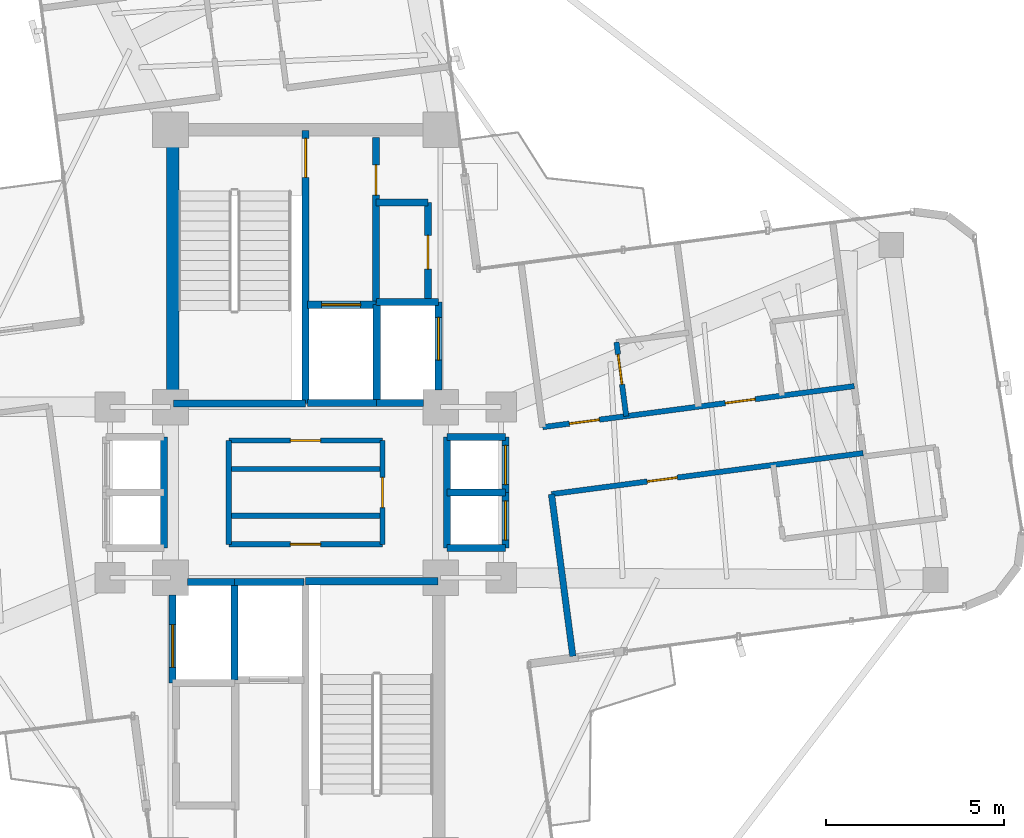
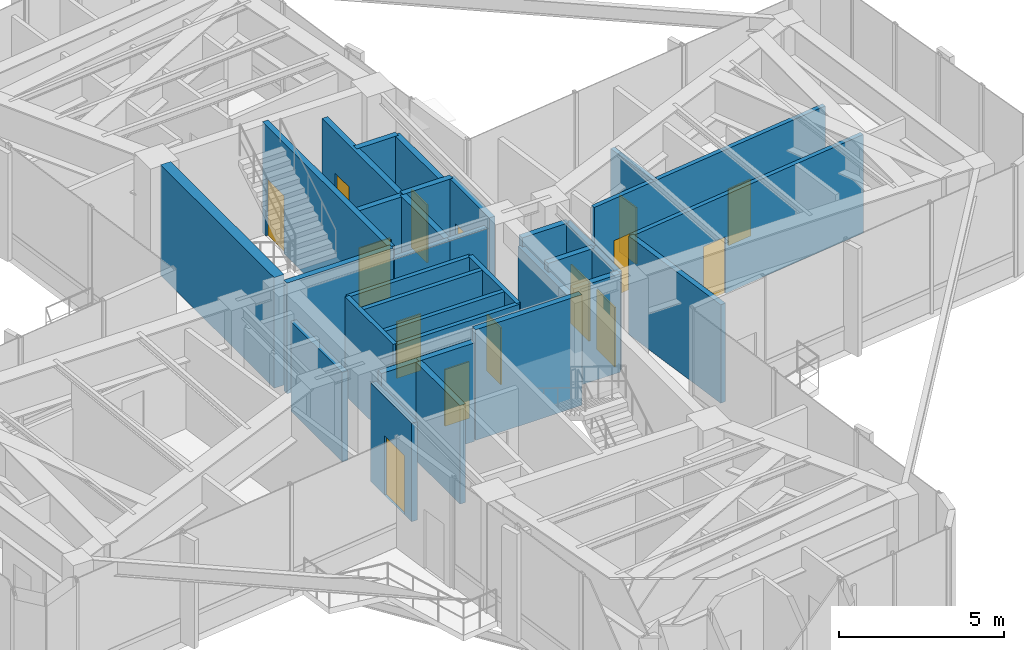
# One storey, part 15 of 18: 34 walls, 15 doors, 15 openings.
"""IFC4 building model written with IfcOpenShell, lengths in metres."""

from ifc_helpers import new_model, si_unit, direction, frame, frame_2d, origin, origin_2d, place, context, subcontext, project, spatial, rectangle, extrude, source, transform, mapped, material, layer, layer_set, type_object, element, fill, save


model = new_model("IFC4")

# Units and contexts
model_context = context("Model", 3, precision=1e-05, world=origin(), true_north=direction((0.0, 1.0)))
body_context = subcontext(model_context, "Body", "Model", "MODEL_VIEW")
ifc_project = project(units=[si_unit("LENGTHUNIT", "METRE"), si_unit("AREAUNIT", "SQUARE_METRE"), si_unit("VOLUMEUNIT", "CUBIC_METRE"), si_unit("PLANEANGLEUNIT", "RADIAN"), si_unit("MASSUNIT", "GRAM", prefix="KILO")], contexts=[model_context])

# Site, building, storey
site_placement = place(None, origin())
site = spatial("IfcSite", under=ifc_project, at=site_placement, CompositionType="ELEMENT")
building_placement = place(site_placement, origin())
building = spatial("IfcBuilding", under=site, at=building_placement, Name="Sahyath Konkavel Grand Hotel", CompositionType="ELEMENT")
storey_placement = place(building_placement, frame((0.0, 0.0, 275.800048828125)))
storey = spatial("IfcBuildingStorey", under=building, at=storey_placement, Name="L77", CompositionType="ELEMENT", Elevation=275.800048828125)

# Wall
ifc_material_1 = material(Name="Concrete C40/50", Category="concrete")
ifc_layer_1 = layer(ifc_material_1, 0.35009765625)
ifc_layer_set_1 = layer_set([ifc_layer_1], Name="Concrete C40/50")
wall_type_1 = type_object("IfcWallType", Name="CWALL-350", PredefinedType="SHEAR", material=ifc_layer_set_1)
wall_1_placement = place(storey_placement, frame((-3.739990234375, 2.85009765625, 0.0), z_axis=(0.0, 0.0, 1.0), x_axis=(0.0, 1.0, 0.0)))
element("IfcWall", 1, at=wall_1_placement, inside=storey, type_object=wall_type_1, Name="L77 North Core Shear Wall W", PredefinedType="SHEAR", context=body_context, shape_type="SweptSolid", body=[
    extrude(rectangle(XDim=6.89990234375, YDim=0.35009765625, at=frame_2d((3.449951171875, 0.0))), origin(), (0.0, 0.0, 1.0), 4.099853515625),
])

# Wall, opening, door
ifc_layer_2 = layer(ifc_material_1, 0.199951171875)
ifc_layer_set_2 = layer_set([ifc_layer_2], Name="Concrete C40/50")
wall_type_2 = type_object("IfcWallType", Name="WLL-CORE-200", PredefinedType="SOLIDWALL", material=ifc_layer_set_2)
wall_2_placement = place(storey_placement, frame((0.0, 2.5, 0.0), z_axis=(0.0, 0.0, 1.0), x_axis=(0.0, 1.0, 0.0)))
wall_2 = element("IfcWall", 2, at=wall_2_placement, inside=storey, type_object=wall_type_2, Name="L77 Stair ST-1 Shaft Wall E", PredefinedType="SOLIDWALL", context=body_context, shape_type="SweptSolid", body=[
    extrude(rectangle(XDim=7.679931640625, YDim=0.199951171875, at=frame_2d((3.83984375, 0.0))), origin(), (0.0, 0.0, 1.0), 4.099853515625),
])
opening_1_placement = place(wall_2_placement, frame((6.360107421875, 0.0, 0.0)))
opening_1 = element("IfcOpeningElement", 3, at=opening_1_placement, cuts=wall_2, Name="Opening D-F12B", PredefinedType="OPENING", context=body_context, shape_type="SweptSolid", body=[
    extrude(rectangle(XDim=1.10009765625, YDim=2.14990234375, at=frame_2d((0.550048828125, 1.074951171875))), frame((0.0, 0.10986328125, 0.0), z_axis=(0.0, -1.0, 0.0), x_axis=(1.0, 0.0, 0.0)), (0.0, 0.0, 1.0), 0.219970703125),
])
ifc_material_2 = material(Name="Steel E350 Smokeproof Fire Door", Category="steel")
door_type_1 = type_object("IfcDoorType", Name="DR-FD120-1100", OperationType="NOTDEFINED", PredefinedType="DOOR", material=ifc_material_2)
shared_shape_1 = source(origin(), body_context, "Body", "SweptSolid", [
    extrude(rectangle(XDim=1.10009765625, YDim=0.050048828125, at=origin_2d()), origin(), (0.0, 0.0, 1.0), 2.14990234375),
])
door_1_placement = place(opening_1_placement, frame((0.550048828125, 0.0, 0.0)))
door_1 = element("IfcDoor", 4, at=door_1_placement, inside=storey, type_object=door_type_1, Name="L77 Stair ST-1 Fire Door", OperationType="SINGLE_SWING_LEFT", OverallHeight=2.14990234375, OverallWidth=1.10009765625, PredefinedType="DOOR", context=body_context, shape_type="MappedRepresentation", body=[
    mapped(shared_shape_1, transform((0.0, 0.0, 0.0), scale=1.0)),
])
fill(opening_1, door_1)

# Walls
for number, where, z_axis, x_axis, name in (
    (5, (-3.719970703125, 2.5, 0.0), (0.0, 0.0, 1.0), (1.0, 0.0, 0.0), "L77 Stair ST-1 Shaft Wall S"),
    (6, (0.0, -2.5, 0.0), (0.0, 0.0, 1.0), (1.0, 0.0, 0.0), "L77 Stair ST-2 Shaft Wall N"),
):
    element("IfcWall", number, at=place(storey_placement, frame(where, z_axis=z_axis, x_axis=x_axis)), inside=storey, type_object=wall_type_2, Name=name, PredefinedType="SOLIDWALL", context=body_context, shape_type="SweptSolid", body=[
        extrude(rectangle(XDim=3.719970703125, YDim=0.199951171875, at=frame_2d((1.85986328125, 0.0))), origin(), (0.0, 0.0, 1.0), 4.099853515625),
    ])

# Wall, opening, door
wall_3_placement = place(storey_placement, frame((1.97998046875, 5.320068359375, 0.0), z_axis=(0.0, 0.0, 1.0), x_axis=(0.0, 1.0, 0.0)))
wall_3 = element("IfcWall", 7, at=wall_3_placement, inside=storey, type_object=wall_type_2, Name="L77 North Firefighting Lobby Wall E", PredefinedType="SOLIDWALL", context=body_context, shape_type="SweptSolid", body=[
    extrude(rectangle(XDim=4.659912109375, YDim=0.199951171875, at=frame_2d((2.330078125, 0.0))), origin(), (0.0, 0.0, 1.0), 3.64990234375),
])
opening_2_placement = place(wall_3_placement, frame((3.0400390625, 0.0, 0.0)))
opening_2 = element("IfcOpeningElement", 8, at=opening_2_placement, cuts=wall_3, Name="Opening D-F12D", PredefinedType="OPENING", context=body_context, shape_type="SweptSolid", body=[
    extrude(rectangle(XDim=0.85009765625, YDim=2.10009765625, at=frame_2d((0.425048828125, 1.050048828125))), frame((0.0, 0.10986328125, 0.0), z_axis=(0.0, -1.0, 0.0), x_axis=(1.0, 0.0, 0.0)), (0.0, 0.0, 1.0), 0.219970703125),
])
ifc_material_3 = material(Name="Steel E350 Core Fire Door", Category="steel")
door_type_2 = type_object("IfcDoorType", Name="DR-FD120-850", OperationType="NOTDEFINED", PredefinedType="DOOR", material=ifc_material_3)
shared_shape_2 = source(origin(), body_context, "Body", "SweptSolid", [
    extrude(rectangle(XDim=0.85009765625, YDim=0.050048828125, at=origin_2d()), origin(), (0.0, 0.0, 1.0), 2.10009765625),
])
door_2_placement = place(opening_2_placement, frame((0.425048828125, 0.0, 0.0)))
door_2 = element("IfcDoor", 9, at=door_2_placement, inside=storey, type_object=door_type_2, Name="L77 North Firefighting Lobby Door", OperationType="SINGLE_SWING_LEFT", OverallHeight=2.10009765625, OverallWidth=0.85009765625, PredefinedType="DOOR", context=body_context, shape_type="MappedRepresentation", body=[
    mapped(shared_shape_2, transform((0.0, 0.0, 0.0), scale=1.0)),
])
fill(opening_2, door_2)

# Walls
wall_4_placement = place(storey_placement, frame((2.0, 2.5, 0.0), z_axis=(0.0, 0.0, 1.0), x_axis=(0.0, 1.0, 0.0)))
element("IfcWall", 10, at=wall_4_placement, inside=storey, type_object=wall_type_2, Name="L77 Partition SH-FFL1-E", PredefinedType="SOLIDWALL", context=body_context, shape_type="SweptSolid", body=[
    extrude(rectangle(XDim=2.780029296875, YDim=0.199951171875, at=frame_2d((1.39013671875, 0.0))), origin(), (0.0, 0.0, 1.0), 3.64990234375),
])
wall_5_placement = place(storey_placement, frame((0.050048828125, 2.52001953125, 0.0), z_axis=(0.0, 0.0, 1.0), x_axis=(1.0, 0.0, 0.0)))
element("IfcWall", 11, at=wall_5_placement, inside=storey, type_object=wall_type_2, Name="L77 Partition SH-FFL1-S", PredefinedType="SOLIDWALL", context=body_context, shape_type="SweptSolid", body=[
    extrude(rectangle(XDim=1.949951171875, YDim=0.199951171875, at=frame_2d((0.97509765625, 0.0))), origin(), (0.0, 0.0, 1.0), 3.64990234375),
])

# Wall, opening, door
wall_6_placement = place(storey_placement, frame((0.050048828125, 5.280029296875, 0.0), z_axis=(0.0, 0.0, 1.0), x_axis=(1.0, 0.0, 0.0)))
wall_6 = element("IfcWall", 12, at=wall_6_placement, inside=storey, type_object=wall_type_2, Name="L77 Partition SH-FFL1-N", PredefinedType="SOLIDWALL", context=body_context, shape_type="SweptSolid", body=[
    extrude(rectangle(XDim=1.929931640625, YDim=0.199951171875, at=frame_2d((0.96484375, 0.0))), origin(), (0.0, 0.0, 1.0), 3.64990234375),
])
opening_3_placement = place(wall_6_placement, frame((0.39990234375, 0.0, 0.0)))
opening_3 = element("IfcOpeningElement", 13, at=opening_3_placement, cuts=wall_6, Name="Opening LD-11", PredefinedType="OPENING", context=body_context, shape_type="SweptSolid", body=[
    extrude(rectangle(XDim=1.10009765625, YDim=2.199951171875, at=frame_2d((0.550048828125, 1.10009765625))), frame((0.0, 0.10986328125, 0.0), z_axis=(0.0, -1.0, 0.0), x_axis=(1.0, 0.0, 0.0)), (0.0, 0.0, 1.0), 0.219970703125),
])
ifc_material_4 = material(Name="Bronze Lift Landing Door 1100")
door_type_3 = type_object("IfcDoorType", Name="DR-LIFT-1100", OperationType="DOUBLE_DOOR_SLIDING", PredefinedType="DOOR", material=ifc_material_4)
shared_shape_3 = source(origin(), body_context, "Body", "SweptSolid", [
    extrude(rectangle(XDim=1.10009765625, YDim=0.050048828125, at=origin_2d()), origin(), (0.0, 0.0, 1.0), 2.199951171875),
])
door_3_placement = place(opening_3_placement, frame((0.550048828125, 0.0, 0.0)))
door_3 = element("IfcDoor", 14, at=door_3_placement, inside=storey, type_object=door_type_3, Name="L77 Lift FFL-1 Landing Door", OperationType="DOUBLE_DOOR_SLIDING", OverallHeight=2.199951171875, OverallWidth=1.10009765625, PredefinedType="DOOR", context=body_context, shape_type="MappedRepresentation", body=[
    mapped(shared_shape_3, transform((0.0, 0.0, 0.0), scale=1.0)),
])
fill(opening_3, door_3)

# Walls
wall_7_placement = place(storey_placement, frame((-2.0, -5.280029296875, 0.0), z_axis=(0.0, 0.0, 1.0), x_axis=(0.0, 1.0, 0.0)))
element("IfcWall", 15, at=wall_7_placement, inside=storey, type_object=wall_type_2, Name="L77 Partition SH-FFL2-W", PredefinedType="SOLIDWALL", context=body_context, shape_type="SweptSolid", body=[
    extrude(rectangle(XDim=2.780029296875, YDim=0.199951171875, at=frame_2d((1.39013671875, 0.0))), origin(), (0.0, 0.0, 1.0), 3.64990234375),
])
wall_8_placement = place(storey_placement, frame((-2.0, -2.52001953125, 0.0), z_axis=(0.0, 0.0, 1.0), x_axis=(1.0, 0.0, 0.0)))
element("IfcWall", 16, at=wall_8_placement, inside=storey, type_object=wall_type_2, Name="L77 Partition SH-FFL2-N", PredefinedType="SOLIDWALL", context=body_context, shape_type="SweptSolid", body=[
    extrude(rectangle(XDim=1.949951171875, YDim=0.199951171875, at=frame_2d((0.97509765625, 0.0))), origin(), (0.0, 0.0, 1.0), 3.64990234375),
])
wall_9_placement = place(storey_placement, frame((2.0, 2.52001953125, 0.0), z_axis=(0.0, 0.0, 1.0), x_axis=(1.0, 0.0, 0.0)))
element("IfcWall", 17, at=wall_9_placement, inside=storey, type_object=wall_type_2, Name="L77 Partition SH-SVL1-S", PredefinedType="SOLIDWALL", context=body_context, shape_type="SweptSolid", body=[
    extrude(rectangle(XDim=1.320068359375, YDim=0.199951171875, at=frame_2d((0.66015625, 0.0))), origin(), (0.0, 0.0, 1.0), 3.64990234375),
])
wall_10_placement = place(storey_placement, frame((2.0, 5.360107421875, 0.0), z_axis=(0.0, 0.0, 1.0), x_axis=(1.0, 0.0, 0.0)))
element("IfcWall", 18, at=wall_10_placement, inside=storey, type_object=wall_type_2, Name="L77 Partition SH-SVL1-N", PredefinedType="SOLIDWALL", context=body_context, shape_type="SweptSolid", body=[
    extrude(rectangle(XDim=1.739990234375, YDim=0.199951171875, at=frame_2d((0.8701171875, 0.0))), origin(), (0.0, 0.0, 1.0), 3.64990234375),
])

# Wall, opening, door
wall_11_placement = place(storey_placement, frame((3.739990234375, 2.8798828125, 0.0), z_axis=(0.0, 0.0, 1.0), x_axis=(0.0, 1.0, 0.0)))
wall_11 = element("IfcWall", 19, at=wall_11_placement, inside=storey, type_object=wall_type_2, Name="L77 Partition SH-SVL1-E", PredefinedType="SOLIDWALL", context=body_context, shape_type="SweptSolid", body=[
    extrude(rectangle(XDim=2.480224609375, YDim=0.199951171875, at=frame_2d((1.240234375, 0.0))), origin(), (0.0, 0.0, 1.0), 3.64990234375),
])
opening_4_placement = place(wall_11_placement, frame((0.840087890625, 0.0, 0.0)))
opening_4 = element("IfcOpeningElement", 20, at=opening_4_placement, cuts=wall_11, Name="Opening LD-12", PredefinedType="OPENING", context=body_context, shape_type="SweptSolid", body=[
    extrude(rectangle(XDim=1.199951171875, YDim=2.199951171875, at=frame_2d((0.60009765625, 1.10009765625))), frame((0.0, 0.10986328125, 0.0), z_axis=(0.0, -1.0, 0.0), x_axis=(1.0, 0.0, 0.0)), (0.0, 0.0, 1.0), 0.219970703125),
])
ifc_material_5 = material(Name="Stainless Steel Lift Landing Door 1200", Category="steel")
door_type_4 = type_object("IfcDoorType", Name="DR-LIFT-1200", OperationType="DOUBLE_DOOR_SLIDING", PredefinedType="DOOR", material=ifc_material_5)
shared_shape_4 = source(origin(), body_context, "Body", "SweptSolid", [
    extrude(rectangle(XDim=1.199951171875, YDim=0.050048828125, at=origin_2d()), origin(), (0.0, 0.0, 1.0), 2.199951171875),
])
door_4_placement = place(opening_4_placement, frame((0.60009765625, 0.0, 0.0)))
door_4 = element("IfcDoor", 21, at=door_4_placement, inside=storey, type_object=door_type_4, Name="L77 Service Lift SVL-1 Landing Door", OperationType="DOUBLE_DOOR_SLIDING", OverallHeight=2.199951171875, OverallWidth=1.199951171875, PredefinedType="DOOR", context=body_context, shape_type="MappedRepresentation", body=[
    mapped(shared_shape_4, transform((0.0, 0.0, 0.0), scale=1.0)),
])
fill(opening_4, door_4)

# Wall
wall_12_placement = place(storey_placement, frame((-3.320068359375, -2.52001953125, 0.0), z_axis=(0.0, 0.0, 1.0), x_axis=(1.0, 0.0, 0.0)))
element("IfcWall", 22, at=wall_12_placement, inside=storey, type_object=wall_type_2, Name="L77 Partition SH-SVL2-N", PredefinedType="SOLIDWALL", context=body_context, shape_type="SweptSolid", body=[
    extrude(rectangle(XDim=1.320068359375, YDim=0.199951171875, at=frame_2d((0.66015625, 0.0))), origin(), (0.0, 0.0, 1.0), 3.64990234375),
])

# Wall, opening, door
wall_13_placement = place(storey_placement, frame((-3.739990234375, -5.360107421875, 0.0), z_axis=(0.0, 0.0, 1.0), x_axis=(0.0, 1.0, 0.0)))
wall_13 = element("IfcWall", 23, at=wall_13_placement, inside=storey, type_object=wall_type_2, Name="L77 Partition SH-SVL2-W", PredefinedType="SOLIDWALL", context=body_context, shape_type="SweptSolid", body=[
    extrude(rectangle(XDim=2.480224609375, YDim=0.199951171875, at=frame_2d((1.240234375, 0.0))), origin(), (0.0, 0.0, 1.0), 3.64990234375),
])
opening_5_placement = place(wall_13_placement, frame((0.43994140625, 0.0, 0.0)))
opening_5 = element("IfcOpeningElement", 24, at=opening_5_placement, cuts=wall_13, Name="Opening LD-12", PredefinedType="OPENING", context=body_context, shape_type="SweptSolid", body=[
    extrude(rectangle(XDim=1.199951171875, YDim=2.199951171875, at=frame_2d((0.60009765625, 1.10009765625))), frame((0.0, 0.10986328125, 0.0), z_axis=(0.0, -1.0, 0.0), x_axis=(1.0, 0.0, 0.0)), (0.0, 0.0, 1.0), 0.219970703125),
])
door_5_placement = place(opening_5_placement, frame((0.60009765625, 0.0, 0.0)))
door_5 = element("IfcDoor", 25, at=door_5_placement, inside=storey, type_object=door_type_4, Name="L77 Service Lift SVL-2 Landing Door", OperationType="DOUBLE_DOOR_SLIDING", OverallHeight=2.199951171875, OverallWidth=1.199951171875, PredefinedType="DOOR", context=body_context, shape_type="MappedRepresentation", body=[
    mapped(shared_shape_4, transform((0.0, 0.0, 0.0), scale=1.0)),
])
fill(opening_5, door_5)

# Walls
wall_14_placement = place(storey_placement, frame((3.97998046875, -1.56005859375, 0.0), z_axis=(0.0, 0.0, 1.0), x_axis=(0.0, 1.0, 0.0)))
element("IfcWall", 26, at=wall_14_placement, inside=storey, type_object=wall_type_2, Name="L77 Partition SH-PL56-W", PredefinedType="SOLIDWALL", context=body_context, shape_type="SweptSolid", body=[
    extrude(rectangle(XDim=3.1201171875, YDim=0.199951171875, at=frame_2d((1.56005859375, 0.0))), origin(), (0.0, 0.0, 1.0), 3.320068359375),
])
for number, where, z_axis, x_axis, name in (
    (27, (3.97998046875, 1.56005859375, 0.0), (0.0, 0.0, 1.0), (1.0, 0.0, 0.0), "L77 Partition SH-PL56-N"),
    (28, (3.97998046875, -1.56005859375, 0.0), (0.0, 0.0, 1.0), (1.0, 0.0, 0.0), "L77 Partition SH-PL56-S"),
    (29, (3.97998046875, 0.0, 0.0), (0.0, 0.0, 1.0), (1.0, 0.0, 0.0), "L77 Partition SH-PL56-M"),
):
    element("IfcWall", number, at=place(storey_placement, frame(where, z_axis=z_axis, x_axis=x_axis)), inside=storey, type_object=wall_type_2, Name=name, PredefinedType="SOLIDWALL", context=body_context, shape_type="SweptSolid", body=[
        extrude(rectangle(XDim=1.64013671875, YDim=0.199951171875, at=frame_2d((0.820068359375, 0.0))), origin(), (0.0, 0.0, 1.0), 3.64990234375),
    ])

# Wall, opening, door
wall_15_placement = place(storey_placement, frame((5.6201171875, 0.0, 0.0), z_axis=(0.0, 0.0, 1.0), x_axis=(0.0, 1.0, 0.0)))
wall_15 = element("IfcWall", 30, at=wall_15_placement, inside=storey, type_object=wall_type_2, Name="L77 Partition SH-PL5-E", PredefinedType="SOLIDWALL", context=body_context, shape_type="SweptSolid", body=[
    extrude(rectangle(XDim=1.56005859375, YDim=0.199951171875, at=frame_2d((0.780029296875, 0.0))), origin(), (0.0, 0.0, 1.0), 3.64990234375),
])
opening_6_placement = place(wall_15_placement, frame((0.219970703125, 0.0, 0.0)))
opening_6 = element("IfcOpeningElement", 31, at=opening_6_placement, cuts=wall_15, Name="Opening LD-11", PredefinedType="OPENING", context=body_context, shape_type="SweptSolid", body=[
    extrude(rectangle(XDim=1.10009765625, YDim=2.199951171875, at=frame_2d((0.550048828125, 1.10009765625))), frame((0.0, 0.10986328125, 0.0), z_axis=(0.0, -1.0, 0.0), x_axis=(1.0, 0.0, 0.0)), (0.0, 0.0, 1.0), 0.219970703125),
])
door_6_placement = place(opening_6_placement, frame((0.550048828125, 0.0, 0.0)))
door_6 = element("IfcDoor", 32, at=door_6_placement, inside=storey, type_object=door_type_3, Name="L77 High-Rise Lift PL-5 Landing Door", OperationType="DOUBLE_DOOR_SLIDING", OverallHeight=2.199951171875, OverallWidth=1.10009765625, PredefinedType="DOOR", context=body_context, shape_type="MappedRepresentation", body=[
    mapped(shared_shape_3, transform((0.0, 0.0, 0.0), scale=1.0)),
])
fill(opening_6, door_6)

wall_16_placement = place(storey_placement, frame((5.6201171875, -1.56005859375, 0.0), z_axis=(0.0, 0.0, 1.0), x_axis=(0.0, 1.0, 0.0)))
wall_16 = element("IfcWall", 33, at=wall_16_placement, inside=storey, type_object=wall_type_2, Name="L77 Partition SH-PL6-E", PredefinedType="SOLIDWALL", context=body_context, shape_type="SweptSolid", body=[
    extrude(rectangle(XDim=1.56005859375, YDim=0.199951171875, at=frame_2d((0.780029296875, 0.0))), origin(), (0.0, 0.0, 1.0), 3.64990234375),
])
opening_7_placement = place(wall_16_placement, frame((0.219970703125, 0.0, 0.0)))
opening_7 = element("IfcOpeningElement", 34, at=opening_7_placement, cuts=wall_16, Name="Opening LD-11", PredefinedType="OPENING", context=body_context, shape_type="SweptSolid", body=[
    extrude(rectangle(XDim=1.10009765625, YDim=2.199951171875, at=frame_2d((0.550048828125, 1.10009765625))), frame((0.0, 0.10986328125, 0.0), z_axis=(0.0, -1.0, 0.0), x_axis=(1.0, 0.0, 0.0)), (0.0, 0.0, 1.0), 0.219970703125),
])
door_7_placement = place(opening_7_placement, frame((0.550048828125, 0.0, 0.0)))
door_7 = element("IfcDoor", 35, at=door_7_placement, inside=storey, type_object=door_type_3, Name="L77 High-Rise Lift PL-6 Landing Door", OperationType="DOUBLE_DOOR_SLIDING", OverallHeight=2.199951171875, OverallWidth=1.10009765625, PredefinedType="DOOR", context=body_context, shape_type="MappedRepresentation", body=[
    mapped(shared_shape_3, transform((0.0, 0.0, 0.0), scale=1.0)),
])
fill(opening_7, door_7)

# Wall
wall_17_placement = place(storey_placement, frame((-3.97998046875, -1.56005859375, 0.0), z_axis=(0.0, 0.0, 1.0), x_axis=(0.0, 1.0, 0.0)))
element("IfcWall", 36, at=wall_17_placement, inside=storey, type_object=wall_type_2, Name="L77 Partition SH-SL12-E", PredefinedType="SOLIDWALL", context=body_context, shape_type="SweptSolid", body=[
    extrude(rectangle(XDim=3.1201171875, YDim=0.199951171875, at=frame_2d((1.56005859375, 0.0))), origin(), (0.0, 0.0, 1.0), 3.320068359375),
])

# Wall, opening, door
wall_18_placement = place(storey_placement, frame((3.43994140625, 5.3798828125, 0.0), z_axis=(0.0, 0.0, 1.0), x_axis=(0.0, 1.0, 0.0)))
wall_18 = element("IfcWall", 37, at=wall_18_placement, inside=storey, type_object=wall_type_2, Name="L77 Reclaimed North Core Wall E", PredefinedType="SOLIDWALL", context=body_context, shape_type="SweptSolid", body=[
    extrude(rectangle(XDim=2.77001953125, YDim=0.199951171875, at=frame_2d((1.385009765625, 0.0))), origin(), (0.0, 0.0, 1.0), 3.64990234375),
])
opening_8_placement = place(wall_18_placement, frame((0.89990234375, 0.0, 0.0)))
opening_8 = element("IfcOpeningElement", 38, at=opening_8_placement, cuts=wall_18, Name="Opening D-F06B", PredefinedType="OPENING", context=body_context, shape_type="SweptSolid", body=[
    extrude(rectangle(XDim=0.949951171875, YDim=2.14990234375, at=frame_2d((0.47509765625, 1.074951171875))), frame((0.0, 0.10986328125, 0.0), z_axis=(0.0, -1.0, 0.0), x_axis=(1.0, 0.0, 0.0)), (0.0, 0.0, 1.0), 0.219970703125),
])
ifc_material_6 = material(Name="Teak Veneer Fire-Rated Guest Entrance Door")
door_type_5 = type_object("IfcDoorType", Name="DR-FD60-950", OperationType="NOTDEFINED", PredefinedType="DOOR", material=ifc_material_6)
shared_shape_5 = source(origin(), body_context, "Body", "SweptSolid", [
    extrude(rectangle(XDim=0.949951171875, YDim=0.050048828125, at=origin_2d()), origin(), (0.0, 0.0, 1.0), 2.14990234375),
])
door_8_placement = place(opening_8_placement, frame((0.47509765625, 0.0, 0.0)))
door_8 = element("IfcDoor", 39, at=door_8_placement, inside=storey, type_object=door_type_5, Name="L77 Door NC-REC1-D", OperationType="SINGLE_SWING_LEFT", OverallHeight=2.14990234375, OverallWidth=0.949951171875, PredefinedType="DOOR", context=body_context, shape_type="MappedRepresentation", body=[
    mapped(shared_shape_5, transform((0.0, 0.0, 0.0), scale=1.0)),
])
fill(opening_8, door_8)

# Walls
wall_19_placement = place(storey_placement, frame((1.97998046875, 8.14990234375, 0.0), z_axis=(0.0, 0.0, 1.0), x_axis=(1.0, 0.0, 0.0)))
element("IfcWall", 40, at=wall_19_placement, inside=storey, type_object=wall_type_2, Name="L77 Partition NC-REC-N", PredefinedType="SOLIDWALL", context=body_context, shape_type="SweptSolid", body=[
    extrude(rectangle(XDim=1.4599609375, YDim=0.199951171875, at=frame_2d((0.72998046875, 0.0))), origin(), (0.0, 0.0, 1.0), 3.64990234375),
])
ifc_material_7 = material(Name="Twin-Stud Acoustic Gypsum Plasterboard Partition")
ifc_layer_3 = layer(ifc_material_7, 0.179931640625)
ifc_layer_set_3 = layer_set([ifc_layer_3], Name="Twin-Stud Acoustic Gypsum Plasterboard Partition")
wall_type_3 = type_object("IfcWallType", Name="WLL-DEMISE-180", PredefinedType="PARTITIONING", material=ifc_layer_set_3)
wall_20_placement = place(storey_placement, frame((7.515869140625, -4.6083984375, 0.0), z_axis=(0.0, 0.0, 1.0), x_axis=(-0.130564346904, 0.991439837467, 0.0)))
element("IfcWall", 41, at=wall_20_placement, inside=storey, type_object=wall_type_3, Name="L77 Partition E-INR", PredefinedType="PARTITIONING", context=body_context, shape_type="SweptSolid", body=[
    extrude(rectangle(XDim=4.599853515625, YDim=0.179931640625, at=frame_2d((2.2998046875, 0.0))), origin(), (0.0, 0.0, 1.0), 3.64990234375),
])

# Wall, opening, door
ifc_material_8 = material(Name="Fire-Rated Gypsum Plasterboard Partition")
ifc_layer_4 = layer(ifc_material_8, 0.14990234375)
ifc_layer_set_4 = layer_set([ifc_layer_4], Name="Fire-Rated Gypsum Plasterboard Partition")
wall_type_4 = type_object("IfcWallType", Name="WLL-PART-150", PredefinedType="PARTITIONING", material=ifc_layer_set_4)
wall_21_placement = place(storey_placement, frame((2.159912109375, -1.4599609375, 0.0), z_axis=(0.0, 0.0, 1.0), x_axis=(0.0, 1.0, 0.0)))
wall_21 = element("IfcWall", 42, at=wall_21_placement, inside=storey, type_object=wall_type_4, Name="L77 Partition CC-2E", PredefinedType="PARTITIONING", context=body_context, shape_type="SweptSolid", body=[
    extrude(rectangle(XDim=2.919921875, YDim=0.14990234375, at=frame_2d((1.4599609375, 0.0))), origin(), (0.0, 0.0, 1.0), 3.64990234375),
])
opening_9_placement = place(wall_21_placement, frame((1.034912109375, 0.0, 0.0)))
opening_9 = element("IfcOpeningElement", 43, at=opening_9_placement, cuts=wall_21, Name="Opening D-F06D", PredefinedType="OPENING", context=body_context, shape_type="SweptSolid", body=[
    extrude(rectangle(XDim=0.85009765625, YDim=2.10009765625, at=frame_2d((0.425048828125, 1.050048828125))), frame((0.0, 0.0849609375, 0.0), z_axis=(0.0, -1.0, 0.0), x_axis=(1.0, 0.0, 0.0)), (0.0, 0.0, 1.0), 0.169921875),
])
ifc_material_9 = material(Name="Fire-Rated Shaft Access Door")
door_type_6 = type_object("IfcDoorType", Name="DR-FD60-850", OperationType="NOTDEFINED", PredefinedType="DOOR", material=ifc_material_9)
door_9_placement = place(opening_9_placement, frame((0.425048828125, 0.0, 0.0)))
door_9 = element("IfcDoor", 44, at=door_9_placement, inside=storey, type_object=door_type_6, Name="L77 Door CC-D2B", OperationType="SINGLE_SWING_RIGHT", OverallHeight=2.10009765625, OverallWidth=0.85009765625, PredefinedType="DOOR", context=body_context, shape_type="MappedRepresentation", body=[
    mapped(shared_shape_2, transform((0.0, 0.0, 0.0), scale=1.0)),
])
fill(opening_9, door_9)

# Wall
wall_22_placement = place(storey_placement, frame((-2.159912109375, -1.4599609375, 0.0), z_axis=(0.0, 0.0, 1.0), x_axis=(0.0, 1.0, 0.0)))
element("IfcWall", 45, at=wall_22_placement, inside=storey, type_object=wall_type_4, Name="L77 Partition CC-2W", PredefinedType="PARTITIONING", context=body_context, shape_type="SweptSolid", body=[
    extrude(rectangle(XDim=2.919921875, YDim=0.14990234375, at=frame_2d((1.4599609375, 0.0))), origin(), (0.0, 0.0, 1.0), 3.64990234375),
])

# Wall, opening, door
wall_23_placement = place(storey_placement, frame((-2.159912109375, 1.4599609375, 0.0), z_axis=(0.0, 0.0, 1.0), x_axis=(1.0, 0.0, 0.0)))
wall_23 = element("IfcWall", 46, at=wall_23_placement, inside=storey, type_object=wall_type_4, Name="L77 Partition CC-2N", PredefinedType="PARTITIONING", context=body_context, shape_type="SweptSolid", body=[
    extrude(rectangle(XDim=4.31982421875, YDim=0.14990234375, at=frame_2d((2.159912109375, 0.0))), origin(), (0.0, 0.0, 1.0), 3.64990234375),
])
opening_10_placement = place(wall_23_placement, frame((1.72998046875, 0.0, 0.0)))
opening_10 = element("IfcOpeningElement", 47, at=opening_10_placement, cuts=wall_23, Name="Opening D-F06D", PredefinedType="OPENING", context=body_context, shape_type="SweptSolid", body=[
    extrude(rectangle(XDim=0.85009765625, YDim=2.10009765625, at=frame_2d((0.425048828125, 1.050048828125))), frame((0.0, 0.0849609375, 0.0), z_axis=(0.0, -1.0, 0.0), x_axis=(1.0, 0.0, 0.0)), (0.0, 0.0, 1.0), 0.169921875),
])
door_10_placement = place(opening_10_placement, frame((0.425048828125, 0.0, 0.0)))
door_10 = element("IfcDoor", 48, at=door_10_placement, inside=storey, type_object=door_type_6, Name="L77 Door CC-D2A", OperationType="SINGLE_SWING_LEFT", OverallHeight=2.10009765625, OverallWidth=0.85009765625, PredefinedType="DOOR", context=body_context, shape_type="MappedRepresentation", body=[
    mapped(shared_shape_2, transform((0.0, 0.0, 0.0), scale=1.0)),
])
fill(opening_10, door_10)

wall_24_placement = place(storey_placement, frame((-2.159912109375, -1.4599609375, 0.0), z_axis=(0.0, 0.0, 1.0), x_axis=(1.0, 0.0, 0.0)))
wall_24 = element("IfcWall", 49, at=wall_24_placement, inside=storey, type_object=wall_type_4, Name="L77 Partition CC-2S", PredefinedType="PARTITIONING", context=body_context, shape_type="SweptSolid", body=[
    extrude(rectangle(XDim=4.31982421875, YDim=0.14990234375, at=frame_2d((2.159912109375, 0.0))), origin(), (0.0, 0.0, 1.0), 3.64990234375),
])
opening_11_placement = place(wall_24_placement, frame((1.72998046875, 0.0, 0.0)))
opening_11 = element("IfcOpeningElement", 50, at=opening_11_placement, cuts=wall_24, Name="Opening D-F06D", PredefinedType="OPENING", context=body_context, shape_type="SweptSolid", body=[
    extrude(rectangle(XDim=0.85009765625, YDim=2.10009765625, at=frame_2d((0.425048828125, 1.050048828125))), frame((0.0, 0.0849609375, 0.0), z_axis=(0.0, -1.0, 0.0), x_axis=(1.0, 0.0, 0.0)), (0.0, 0.0, 1.0), 0.169921875),
])
door_11_placement = place(opening_11_placement, frame((0.425048828125, 0.0, 0.0)))
door_11 = element("IfcDoor", 51, at=door_11_placement, inside=storey, type_object=door_type_6, Name="L77 Door CC-D2C", OperationType="SINGLE_SWING_LEFT", OverallHeight=2.10009765625, OverallWidth=0.85009765625, PredefinedType="DOOR", context=body_context, shape_type="MappedRepresentation", body=[
    mapped(shared_shape_2, transform((0.0, 0.0, 0.0), scale=1.0)),
])
fill(opening_11, door_11)

# Walls
for number, where, z_axis, x_axis, name in (
    (52, (-2.159912109375, 0.659912109375, 0.0), (0.0, 0.0, 1.0), (1.0, 0.0, 0.0), "L77 Partition CC-2M1"),
    (53, (-2.159912109375, -0.659912109375, 0.0), (0.0, 0.0, 1.0), (1.0, 0.0, 0.0), "L77 Partition CC-2M2"),
):
    element("IfcWall", number, at=place(storey_placement, frame(where, z_axis=z_axis, x_axis=x_axis)), inside=storey, type_object=wall_type_4, Name=name, PredefinedType="PARTITIONING", context=body_context, shape_type="SweptSolid", body=[
        extrude(rectangle(XDim=4.31982421875, YDim=0.14990234375, at=frame_2d((2.159912109375, 0.0))), origin(), (0.0, 0.0, 1.0), 3.64990234375),
    ])

# Wall, openings, doors
wall_25_placement = place(storey_placement, frame((6.66748046875, 1.8359375, 0.0), z_axis=(0.0, 0.0, 1.0), x_axis=(0.991445551178, 0.13052095253, 0.0)))
wall_25 = element("IfcWall", 54, at=wall_25_placement, inside=storey, type_object=wall_type_4, Name="L77 Partition E-CL", PredefinedType="PARTITIONING", context=body_context, shape_type="SweptSolid", body=[
    extrude(rectangle(XDim=8.840087890625, YDim=0.14990234375, at=frame_2d((4.419921875, 0.0))), origin(), (0.0, 0.0, 1.0), 3.64990234375),
])
opening_12_placement = place(wall_25_placement, frame((0.760009765625, 0.0, 0.0)))
opening_12 = element("IfcOpeningElement", 55, at=opening_12_placement, cuts=wall_25, Name="Opening D-F06D", PredefinedType="OPENING", context=body_context, shape_type="SweptSolid", body=[
    extrude(rectangle(XDim=0.85009765625, YDim=2.10009765625, at=frame_2d((0.425048828125, 1.050048828125))), frame((0.0, 0.0849609375, 0.0), z_axis=(0.0, -1.0, 0.0), x_axis=(1.0, 0.0, 0.0)), (0.0, 0.0, 1.0), 0.169921875),
])
opening_13_placement = place(wall_25_placement, frame((5.179931640625, 0.0, 0.0)))
opening_13 = element("IfcOpeningElement", 56, at=opening_13_placement, cuts=wall_25, Name="Opening D-F06D", PredefinedType="OPENING", context=body_context, shape_type="SweptSolid", body=[
    extrude(rectangle(XDim=0.85009765625, YDim=2.10009765625, at=frame_2d((0.425048828125, 1.050048828125))), frame((0.0, 0.0849609375, 0.0), z_axis=(0.0, -1.0, 0.0), x_axis=(1.0, 0.0, 0.0)), (0.0, 0.0, 1.0), 0.169921875),
])
door_12_placement = place(opening_12_placement, frame((0.425048828125, 0.0, 0.0)))
door_12 = element("IfcDoor", 57, at=door_12_placement, inside=storey, type_object=door_type_6, Name="L77 Door E-E4L1-ED", OperationType="SINGLE_SWING_LEFT", OverallHeight=2.10009765625, OverallWidth=0.85009765625, PredefinedType="DOOR", context=body_context, shape_type="MappedRepresentation", body=[
    mapped(shared_shape_2, transform((0.0, 0.0, 0.0), scale=1.0)),
])
fill(opening_12, door_12)
door_13_placement = place(opening_13_placement, frame((0.425048828125, 0.0, 0.0)))
door_13 = element("IfcDoor", 58, at=door_13_placement, inside=storey, type_object=door_type_6, Name="L77 Door E-E4L2-ED", OperationType="SINGLE_SWING_LEFT", OverallHeight=2.10009765625, OverallWidth=0.85009765625, PredefinedType="DOOR", context=body_context, shape_type="MappedRepresentation", body=[
    mapped(shared_shape_2, transform((0.0, 0.0, 0.0), scale=1.0)),
])
fill(opening_13, door_13)

# Wall, opening, door
wall_26_placement = place(storey_placement, frame((6.915283203125, -0.0478515625, 0.0), z_axis=(0.0, 0.0, 1.0), x_axis=(0.991441976975, 0.130548099534, 0.0)))
wall_26 = element("IfcWall", 59, at=wall_26_placement, inside=storey, type_object=wall_type_4, Name="L77 Partition E-CR", PredefinedType="PARTITIONING", context=body_context, shape_type="SweptSolid", body=[
    extrude(rectangle(XDim=8.840087890625, YDim=0.14990234375, at=frame_2d((4.419921875, 0.0))), origin(), (0.0, 0.0, 1.0), 3.64990234375),
])
opening_14_placement = place(wall_26_placement, frame((2.719970703125, 0.0, 0.0)))
opening_14 = element("IfcOpeningElement", 60, at=opening_14_placement, cuts=wall_26, Name="Opening D-F06D", PredefinedType="OPENING", context=body_context, shape_type="SweptSolid", body=[
    extrude(rectangle(XDim=0.85009765625, YDim=2.10009765625, at=frame_2d((0.425048828125, 1.050048828125))), frame((0.0, 0.0849609375, 0.0), z_axis=(0.0, -1.0, 0.0), x_axis=(1.0, 0.0, 0.0)), (0.0, 0.0, 1.0), 0.169921875),
])
door_14_placement = place(opening_14_placement, frame((0.425048828125, 0.0, 0.0)))
door_14 = element("IfcDoor", 61, at=door_14_placement, inside=storey, type_object=door_type_6, Name="L77 Door E-E4R1-ED", OperationType="SINGLE_SWING_LEFT", OverallHeight=2.10009765625, OverallWidth=0.85009765625, PredefinedType="DOOR", context=body_context, shape_type="MappedRepresentation", body=[
    mapped(shared_shape_2, transform((0.0, 0.0, 0.0), scale=1.0)),
])
fill(opening_14, door_14)

wall_27_placement = place(storey_placement, frame((9.01708984375, 2.145263671875, 0.0), z_axis=(0.0, 0.0, 1.0), x_axis=(-0.130556761174, 0.991440836415, 0.0)))
wall_27 = element("IfcWall", 62, at=wall_27_placement, inside=storey, type_object=wall_type_4, Name="L77 Partition E-E4L1-BS", PredefinedType="PARTITIONING", context=body_context, shape_type="SweptSolid", body=[
    extrude(rectangle(XDim=2.10009765625, YDim=0.14990234375, at=frame_2d((1.050048828125, 0.0))), origin(), (0.0, 0.0, 1.0), 3.64990234375),
])
opening_15_placement = place(wall_27_placement, frame((0.89990234375, 0.0, 0.0)))
opening_15 = element("IfcOpeningElement", 63, at=opening_15_placement, cuts=wall_27, Name="Opening D-BT85", PredefinedType="OPENING", context=body_context, shape_type="SweptSolid", body=[
    extrude(rectangle(XDim=0.85009765625, YDim=2.10009765625, at=frame_2d((0.425048828125, 1.050048828125))), frame((0.0, 0.0849609375, 0.0), z_axis=(0.0, -1.0, 0.0), x_axis=(1.0, 0.0, 0.0)), (0.0, 0.0, 1.0), 0.169921875),
])
ifc_material_10 = material(Name="Moisture-Resistant Teak Bathroom Door")
door_type_7 = type_object("IfcDoorType", Name="DR-BATH-850", OperationType="NOTDEFINED", PredefinedType="DOOR", material=ifc_material_10)
door_15_placement = place(opening_15_placement, frame((0.425048828125, 0.0, 0.0)))
door_15 = element("IfcDoor", 64, at=door_15_placement, inside=storey, type_object=door_type_7, Name="L77 Door E-E4L1-BD", OperationType="SINGLE_SWING_RIGHT", OverallHeight=2.10009765625, OverallWidth=0.85009765625, PredefinedType="DOOR", context=body_context, shape_type="MappedRepresentation", body=[
    mapped(shared_shape_2, transform((0.0, 0.0, 0.0), scale=1.0)),
])
fill(opening_15, door_15)

save(model, "model.ifc")
